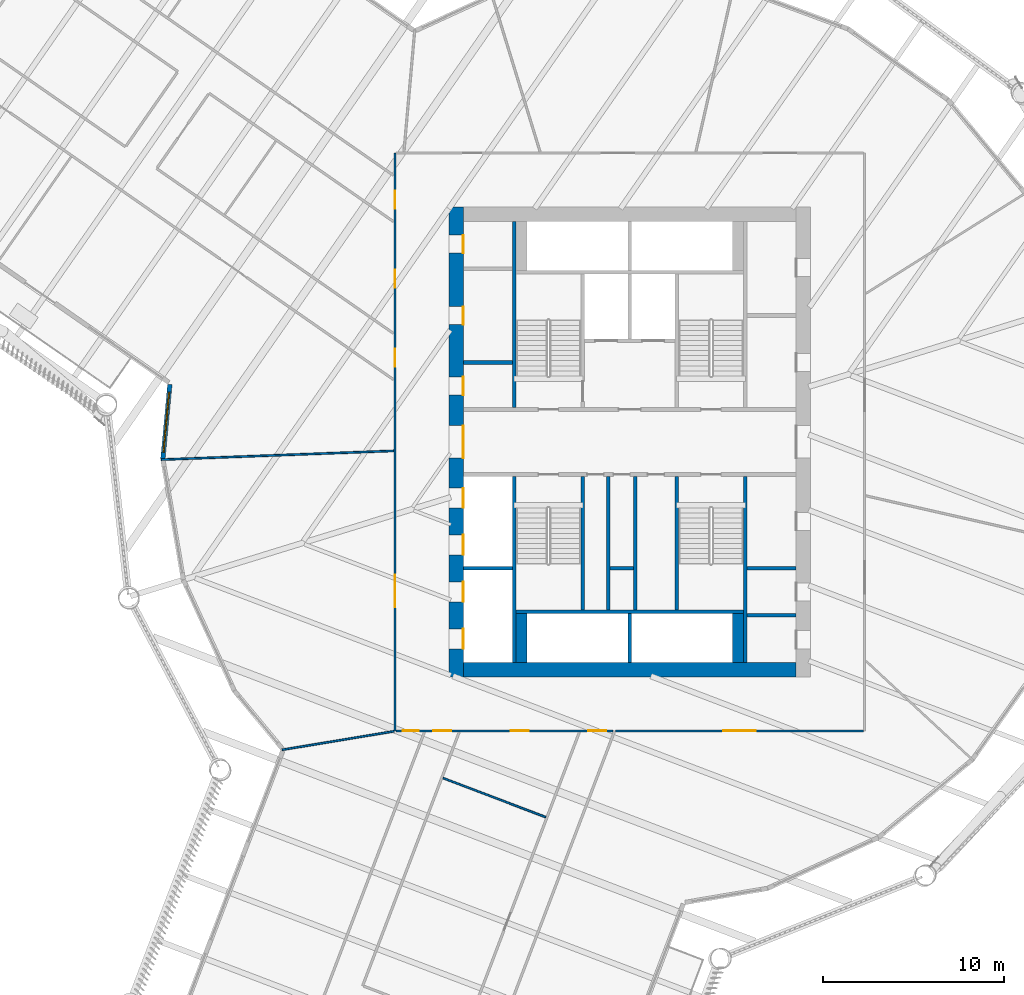
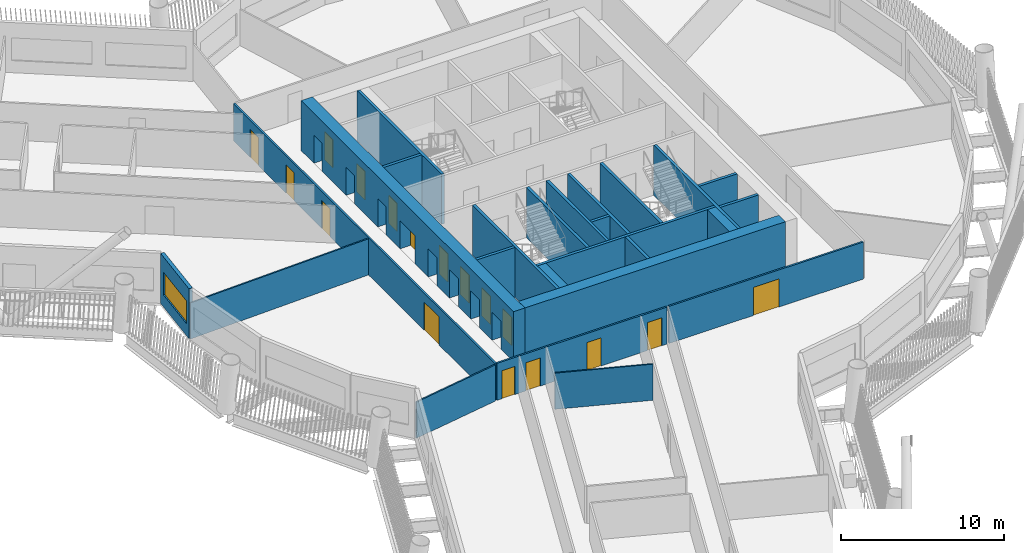
# One storey, part 4 of 23: 25 walls, 17 doors, 1 window, 18 openings.
"""IFC4 building model written with IfcOpenShell, lengths in metres."""

from ifc_helpers import new_model, si_unit, direction, frame, frame_2d, origin, place, context, subcontext, project, spatial, rectangle, extrude, material, layer, layer_set, type_object, element, fill, save


model = new_model("IFC4")

# Units and contexts
model_context = context("Model", 3, precision=1e-05, world=origin(), true_north=direction((0.0, 1.0)))
body_context = subcontext(model_context, "Body", "Model", "MODEL_VIEW")
ifc_project = project(units=[si_unit("LENGTHUNIT", "METRE"), si_unit("AREAUNIT", "SQUARE_METRE"), si_unit("VOLUMEUNIT", "CUBIC_METRE"), si_unit("PLANEANGLEUNIT", "RADIAN"), si_unit("MASSUNIT", "GRAM", prefix="KILO")], contexts=[model_context])

# Site, building, storey
site_placement = place(None, origin())
site = spatial("IfcSite", under=ifc_project, at=site_placement, CompositionType="ELEMENT")
building_placement = place(site_placement, origin())
building = spatial("IfcBuilding", under=site, at=building_placement, Name="Tarsis Ring Headquarters", CompositionType="ELEMENT")
storey_placement = place(building_placement, frame((0.0, 0.0, 131.800048828125)))
storey = spatial("IfcBuildingStorey", under=building, at=storey_placement, Name="L30", CompositionType="ELEMENT", Elevation=131.800048828125)

# Walls
ifc_material_1 = material(Name="Blockwork", Category="masonry")
ifc_layer_1 = layer(ifc_material_1, 0.199951171875)
ifc_layer_set_1 = layer_set([ifc_layer_1], Name="Core blockwork wall 200")
wall_type_1 = type_object("IfcWallType", Name="Core blockwork wall 200", PredefinedType="PARTITIONING", material=ifc_layer_set_1)
for number, where, z_axis, x_axis, name in (
    (1, (-9.199951171875, 4.39990234375, 0.0), (0.0, 0.0, 1.0), (1.0, 0.0, 0.0), "Core partition WD5"),
    (2, (6.5, -9.60009765625, 0.0), (0.0, 0.0, 1.0), (1.0, 0.0, 0.0), "Core partition ED1"),
    (3, (6.5, -7.0, 0.0), (0.0, 0.0, 1.0), (1.0, 0.0, 0.0), "Core partition ED2"),
):
    element("IfcWall", number, at=place(storey_placement, frame(where, z_axis=z_axis, x_axis=x_axis)), inside=storey, type_object=wall_type_1, Name=name, PredefinedType="PARTITIONING", context=body_context, shape_type="SweptSolid", body=[
        extrude(rectangle(XDim=2.699951171875, YDim=0.199951171875, at=frame_2d((1.35009765625, 0.0))), origin(), (0.0, 0.0, 1.0), 3.739990234375),
    ])
wall_1_placement = place(storey_placement, frame((-1.10009765625, -7.0, 0.0), z_axis=(0.0, 0.0, 1.0), x_axis=(1.0, 0.0, 0.0)))
element("IfcWall", 4, at=wall_1_placement, inside=storey, type_object=wall_type_1, Name="Core partition SP2", PredefinedType="PARTITIONING", context=body_context, shape_type="SweptSolid", body=[
    extrude(rectangle(XDim=1.300048828125, YDim=0.199951171875, at=frame_2d((0.64990234375, 0.0))), origin(), (0.0, 0.0, 1.0), 3.739990234375),
])
for number, where, z_axis, x_axis, name in (
    (5, (-1.199951171875, -9.300048828125, 0.0), (0.0, 0.0, 1.0), (0.0, 1.0, 0.0), "Core partition SV1"),
    (6, (0.300048828125, -9.300048828125, 0.0), (0.0, 0.0, 1.0), (0.0, 1.0, 0.0), "Core partition SV2"),
):
    element("IfcWall", number, at=place(storey_placement, frame(where, z_axis=z_axis, x_axis=x_axis)), inside=storey, type_object=wall_type_1, Name=name, PredefinedType="PARTITIONING", context=body_context, shape_type="SweptSolid", body=[
        extrude(rectangle(XDim=7.400146484375, YDim=0.199951171875, at=frame_2d((3.7001953125, 0.0))), origin(), (0.0, 0.0, 1.0), 3.739990234375),
    ])

# Wall, openings, doors
ifc_material_2 = material(Name="Concrete C60/75", Category="concrete")
ifc_layer_2 = layer(ifc_material_2, 0.800048828125)
ifc_layer_set_2 = layer_set([ifc_layer_2], Name="Core wall 800 C60/75")
wall_type_2 = type_object("IfcWallType", Name="Core wall 800 C60/75", PredefinedType="SHEAR", material=ifc_layer_set_2)
wall_2_placement = place(storey_placement, frame((-9.60009765625, -13.0, 0.0), z_axis=(0.0, 0.0, 1.0), x_axis=(0.0, 1.0, 0.0)))
wall_2 = element("IfcWall", 7, at=wall_2_placement, inside=storey, type_object=wall_type_2, Name="Core wall OW", PredefinedType="SHEAR", context=body_context, shape_type="SweptSolid", body=[
    extrude(rectangle(XDim=26.0, YDim=0.800048828125, at=frame_2d((13.0, 0.0))), origin(), (0.0, 0.0, 1.0), 3.739990234375),
])
opening_1_placement = place(wall_2_placement, frame((1.550048828125, 0.0, 0.0)))
opening_1 = element("IfcOpeningElement", 8, at=opening_1_placement, cuts=wall_2, Name="Opening LD-LR1", PredefinedType="OPENING", context=body_context, shape_type="SweptSolid", body=[
    extrude(rectangle(XDim=1.10009765625, YDim=2.10009765625, at=frame_2d((0.550048828125, 1.050048828125))), frame((0.0, 0.409912109375, 0.0), z_axis=(0.0, -1.0, 0.0), x_axis=(1.0, 0.0, 0.0)), (0.0, 0.0, 1.0), 0.820068359375),
])
opening_2_placement = place(wall_2_placement, frame((4.14990234375, 0.0, 0.0)))
opening_2 = element("IfcOpeningElement", 9, at=opening_2_placement, cuts=wall_2, Name="Opening LD-LR2", PredefinedType="OPENING", context=body_context, shape_type="SweptSolid", body=[
    extrude(rectangle(XDim=1.10009765625, YDim=2.10009765625, at=frame_2d((0.550048828125, 1.050048828125))), frame((0.0, 0.409912109375, 0.0), z_axis=(0.0, -1.0, 0.0), x_axis=(1.0, 0.0, 0.0)), (0.0, 0.0, 1.0), 0.820068359375),
])
opening_3_placement = place(wall_2_placement, frame((6.75, 0.0, 0.0)))
opening_3 = element("IfcOpeningElement", 10, at=opening_3_placement, cuts=wall_2, Name="Opening LD-LR3", PredefinedType="OPENING", context=body_context, shape_type="SweptSolid", body=[
    extrude(rectangle(XDim=1.10009765625, YDim=2.10009765625, at=frame_2d((0.550048828125, 1.050048828125))), frame((0.0, 0.409912109375, 0.0), z_axis=(0.0, -1.0, 0.0), x_axis=(1.0, 0.0, 0.0)), (0.0, 0.0, 1.0), 0.820068359375),
])
opening_4_placement = place(wall_2_placement, frame((9.35009765625, 0.0, 0.0)))
opening_4 = element("IfcOpeningElement", 11, at=opening_4_placement, cuts=wall_2, Name="Opening LD-LR4", PredefinedType="OPENING", context=body_context, shape_type="SweptSolid", body=[
    extrude(rectangle(XDim=1.10009765625, YDim=2.10009765625, at=frame_2d((0.550048828125, 1.050048828125))), frame((0.0, 0.409912109375, 0.0), z_axis=(0.0, -1.0, 0.0), x_axis=(1.0, 0.0, 0.0)), (0.0, 0.0, 1.0), 0.820068359375),
])
opening_5_placement = place(wall_2_placement, frame((12.10009765625, 0.0, 0.0)))
opening_5 = element("IfcOpeningElement", 12, at=opening_5_placement, cuts=wall_2, Name="Opening L30-C05", PredefinedType="OPENING", context=body_context, shape_type="SweptSolid", body=[
    extrude(rectangle(XDim=1.800048828125, YDim=2.10009765625, at=frame_2d((0.89990234375, 1.050048828125))), frame((0.0, 0.409912109375, 0.0), z_axis=(0.0, -1.0, 0.0), x_axis=(1.0, 0.0, 0.0)), (0.0, 0.0, 1.0), 0.820068359375),
])
opening_6_placement = place(wall_2_placement, frame((15.60009765625, 0.0, 0.0)))
opening_6 = element("IfcOpeningElement", 13, at=opening_6_placement, cuts=wall_2, Name="Opening L30-C06", PredefinedType="OPENING", context=body_context, shape_type="SweptSolid", body=[
    extrude(rectangle(XDim=1.0, YDim=2.10009765625, at=frame_2d((0.5, 1.050048828125))), frame((0.0, 0.409912109375, 0.0), z_axis=(0.0, -1.0, 0.0), x_axis=(1.0, 0.0, 0.0)), (0.0, 0.0, 1.0), 0.820068359375),
])
opening_7_placement = place(wall_2_placement, frame((19.5, 0.0, 0.0)))
opening_7 = element("IfcOpeningElement", 14, at=opening_7_placement, cuts=wall_2, Name="Opening L30-C07", PredefinedType="OPENING", context=body_context, shape_type="SweptSolid", body=[
    extrude(rectangle(XDim=1.0, YDim=2.10009765625, at=frame_2d((0.5, 1.050048828125))), frame((0.0, 0.409912109375, 0.0), z_axis=(0.0, -1.0, 0.0), x_axis=(1.0, 0.0, 0.0)), (0.0, 0.0, 1.0), 0.820068359375),
])
opening_8_placement = place(wall_2_placement, frame((23.449951171875, 0.0, 0.0)))
opening_8 = element("IfcOpeningElement", 15, at=opening_8_placement, cuts=wall_2, Name="Opening L30-C08", PredefinedType="OPENING", context=body_context, shape_type="SweptSolid", body=[
    extrude(rectangle(XDim=1.0, YDim=2.10009765625, at=frame_2d((0.5, 1.050048828125))), frame((0.0, 0.409912109375, 0.0), z_axis=(0.0, -1.0, 0.0), x_axis=(1.0, 0.0, 0.0)), (0.0, 0.0, 1.0), 0.820068359375),
])
ifc_material_3 = material(Name="Steel S355", Category="steel")
door_type_1 = type_object("IfcDoorType", Name="Core entry door 1800x2100", OperationType="DOUBLE_DOOR_SINGLE_SWING", PredefinedType="DOOR", material=ifc_material_3)
door_1_placement = place(opening_5_placement, origin())
door_1 = element("IfcDoor", 16, at=door_1_placement, inside=storey, type_object=door_type_1, Name="Core entry door L30", OperationType="DOUBLE_DOOR_SINGLE_SWING", OverallHeight=2.10009765625, OverallWidth=1.800048828125, PredefinedType="DOOR", context=body_context, shape_type="SweptSolid", body=[
    extrude(rectangle(XDim=1.800048828125, YDim=2.10009765625, at=frame_2d((0.89990234375, 1.050048828125))), frame((0.0, -0.35009765625, 0.0), z_axis=(0.0, -1.0, 0.0), x_axis=(1.0, 0.0, 0.0)), (0.0, 0.0, 1.0), 0.050048828125),
])
fill(opening_5, door_1)
door_type_2 = type_object("IfcDoorType", Name="Core room door 1000x2100", OperationType="SINGLE_SWING_LEFT", PredefinedType="DOOR", material=ifc_material_3)
door_2_placement = place(opening_6_placement, origin())
door_2 = element("IfcDoor", 17, at=door_2_placement, inside=storey, type_object=door_type_2, Name="Core room door L30", OperationType="SINGLE_SWING_LEFT", OverallHeight=2.10009765625, OverallWidth=1.0, PredefinedType="DOOR", context=body_context, shape_type="SweptSolid", body=[
    extrude(rectangle(XDim=1.0, YDim=2.10009765625, at=frame_2d((0.5, 1.050048828125))), frame((0.0, -0.35009765625, 0.0), z_axis=(0.0, -1.0, 0.0), x_axis=(1.0, 0.0, 0.0)), (0.0, 0.0, 1.0), 0.050048828125),
])
fill(opening_6, door_2)
door_3_placement = place(opening_7_placement, origin())
door_3 = element("IfcDoor", 18, at=door_3_placement, inside=storey, type_object=door_type_2, Name="Core room door L30", OperationType="SINGLE_SWING_LEFT", OverallHeight=2.10009765625, OverallWidth=1.0, PredefinedType="DOOR", context=body_context, shape_type="SweptSolid", body=[
    extrude(rectangle(XDim=1.0, YDim=2.10009765625, at=frame_2d((0.5, 1.050048828125))), frame((0.0, -0.35009765625, 0.0), z_axis=(0.0, -1.0, 0.0), x_axis=(1.0, 0.0, 0.0)), (0.0, 0.0, 1.0), 0.050048828125),
])
fill(opening_7, door_3)
door_4_placement = place(opening_8_placement, origin())
door_4 = element("IfcDoor", 19, at=door_4_placement, inside=storey, type_object=door_type_2, Name="Core room door L30", OperationType="SINGLE_SWING_LEFT", OverallHeight=2.10009765625, OverallWidth=1.0, PredefinedType="DOOR", context=body_context, shape_type="SweptSolid", body=[
    extrude(rectangle(XDim=1.0, YDim=2.10009765625, at=frame_2d((0.5, 1.050048828125))), frame((0.0, -0.35009765625, 0.0), z_axis=(0.0, -1.0, 0.0), x_axis=(1.0, 0.0, 0.0)), (0.0, 0.0, 1.0), 0.050048828125),
])
fill(opening_8, door_4)
door_type_3 = type_object("IfcDoorType", Name="Landing door 1100x2100", OperationType="SLIDING_TO_LEFT", PredefinedType="DOOR", material=ifc_material_3)
door_5_placement = place(opening_1_placement, origin())
door_5 = element("IfcDoor", 20, at=door_5_placement, inside=storey, type_object=door_type_3, Name="Landing door LR1 L30", OperationType="SLIDING_TO_LEFT", OverallHeight=2.10009765625, OverallWidth=1.10009765625, PredefinedType="DOOR", context=body_context, shape_type="SweptSolid", body=[
    extrude(rectangle(XDim=1.10009765625, YDim=2.10009765625, at=frame_2d((0.550048828125, 1.050048828125))), frame((0.0, -0.35009765625, 0.0), z_axis=(0.0, -1.0, 0.0), x_axis=(1.0, 0.0, 0.0)), (0.0, 0.0, 1.0), 0.050048828125),
])
fill(opening_1, door_5)
door_6_placement = place(opening_2_placement, origin())
door_6 = element("IfcDoor", 21, at=door_6_placement, inside=storey, type_object=door_type_3, Name="Landing door LR2 L30", OperationType="SLIDING_TO_LEFT", OverallHeight=2.10009765625, OverallWidth=1.10009765625, PredefinedType="DOOR", context=body_context, shape_type="SweptSolid", body=[
    extrude(rectangle(XDim=1.10009765625, YDim=2.10009765625, at=frame_2d((0.550048828125, 1.050048828125))), frame((0.0, -0.35009765625, 0.0), z_axis=(0.0, -1.0, 0.0), x_axis=(1.0, 0.0, 0.0)), (0.0, 0.0, 1.0), 0.050048828125),
])
fill(opening_2, door_6)
door_7_placement = place(opening_3_placement, origin())
door_7 = element("IfcDoor", 22, at=door_7_placement, inside=storey, type_object=door_type_3, Name="Landing door LR3 L30", OperationType="SLIDING_TO_LEFT", OverallHeight=2.10009765625, OverallWidth=1.10009765625, PredefinedType="DOOR", context=body_context, shape_type="SweptSolid", body=[
    extrude(rectangle(XDim=1.10009765625, YDim=2.10009765625, at=frame_2d((0.550048828125, 1.050048828125))), frame((0.0, -0.35009765625, 0.0), z_axis=(0.0, -1.0, 0.0), x_axis=(1.0, 0.0, 0.0)), (0.0, 0.0, 1.0), 0.050048828125),
])
fill(opening_3, door_7)
door_8_placement = place(opening_4_placement, origin())
door_8 = element("IfcDoor", 23, at=door_8_placement, inside=storey, type_object=door_type_3, Name="Landing door LR4 L30", OperationType="SLIDING_TO_LEFT", OverallHeight=2.10009765625, OverallWidth=1.10009765625, PredefinedType="DOOR", context=body_context, shape_type="SweptSolid", body=[
    extrude(rectangle(XDim=1.10009765625, YDim=2.10009765625, at=frame_2d((0.550048828125, 1.050048828125))), frame((0.0, -0.35009765625, 0.0), z_axis=(0.0, -1.0, 0.0), x_axis=(1.0, 0.0, 0.0)), (0.0, 0.0, 1.0), 0.050048828125),
])
fill(opening_4, door_8)

# Walls
wall_3_placement = place(storey_placement, frame((-9.199951171875, -12.60009765625, 0.0), z_axis=(0.0, 0.0, 1.0), x_axis=(1.0, 0.0, 0.0)))
element("IfcWall", 24, at=wall_3_placement, inside=storey, type_object=wall_type_2, Name="Core wall OS", PredefinedType="SHEAR", context=body_context, shape_type="SweptSolid", body=[
    extrude(rectangle(XDim=18.39990234375, YDim=0.800048828125, at=frame_2d((9.199951171875, 0.0))), origin(), (0.0, 0.0, 1.0), 3.739990234375),
])
ifc_material_4 = material(Name="Gypsum board on steel studs", Category="steel")
ifc_layer_3 = layer(ifc_material_4, 0.10009765625)
ifc_layer_set_3 = layer_set([ifc_layer_3], Name="FL partition 100 unrated")
wall_type_3 = type_object("IfcWallType", Name="FL partition 100 unrated", PredefinedType="PARTITIONING", material=ifc_layer_set_3)
wall_4_placement = place(storey_placement, frame((-25.929443359375, -0.97802734375, 0.0), z_axis=(0.0, 0.0, 1.0), x_axis=(0.999289207416, 0.037697213987, 0.0)))
element("IfcWall", 25, at=wall_4_placement, inside=storey, type_object=wall_type_3, Name="Partition PW3", PredefinedType="PARTITIONING", context=body_context, shape_type="SweptSolid", body=[
    extrude(rectangle(XDim=12.868408203125, YDim=0.10009765625, at=frame_2d((6.43408203125, 0.0))), origin(), (0.0, 0.0, 1.0), 2.699951171875),
])
wall_5_placement = place(storey_placement, frame((-19.248779296875, -17.04638671875, 0.0), z_axis=(0.0, 0.0, 1.0), x_axis=(0.986548013177, 0.163471764218, 0.0)))
element("IfcWall", 26, at=wall_5_placement, inside=storey, type_object=wall_type_3, Name="Partition PW3", PredefinedType="PARTITIONING", context=body_context, shape_type="SweptSolid", body=[
    extrude(rectangle(XDim=6.277099609375, YDim=0.10009765625, at=frame_2d((3.138671875, 0.0))), origin(), (0.0, 0.0, 1.0), 2.699951171875),
])
wall_6_placement = place(storey_placement, frame((-10.3369140625, -18.610107421875, 0.0), z_axis=(0.0, 0.0, 1.0), x_axis=(0.934571676996, -0.355774901529, 0.0)))
element("IfcWall", 27, at=wall_6_placement, inside=storey, type_object=wall_type_3, Name="Partition PW3", PredefinedType="PARTITIONING", context=body_context, shape_type="SweptSolid", body=[
    extrude(rectangle(XDim=6.079833984375, YDim=0.10009765625, at=frame_2d((3.0400390625, 0.0))), origin(), (0.0, 0.0, 1.0), 2.699951171875),
])

# Wall, openings, doors
ifc_layer_4 = layer(ifc_material_4, 0.125)
ifc_layer_set_4 = layer_set([ifc_layer_4], Name="FL partition 125 EI 60 H2770")
wall_type_4 = type_object("IfcWallType", Name="FL partition 125 EI 60 H2770", PredefinedType="PARTITIONING", material=ifc_layer_set_4)
wall_7_placement = place(storey_placement, frame((-13.0, -16.0, 0.0), z_axis=(0.0, 0.0, 1.0), x_axis=(0.0, 1.0, 0.0)))
wall_7 = element("IfcWall", 28, at=wall_7_placement, inside=storey, type_object=wall_type_4, Name="Partition PW1", PredefinedType="PARTITIONING", context=body_context, shape_type="SweptSolid", body=[
    extrude(rectangle(XDim=32.0, YDim=0.125, at=frame_2d((16.0, 0.0))), origin(), (0.0, 0.0, 1.0), 2.77001953125),
])
opening_9_placement = place(wall_7_placement, frame((6.854736328125, 0.0, 0.0)))
opening_9 = element("IfcOpeningElement", 29, at=opening_9_placement, cuts=wall_7, Name="Opening D30.13", PredefinedType="OPENING", context=body_context, shape_type="SweptSolid", body=[
    extrude(rectangle(XDim=1.800048828125, YDim=2.10009765625, at=frame_2d((0.89990234375, 1.050048828125))), frame((0.0, 0.072509765625, 0.0), z_axis=(0.0, -1.0, 0.0), x_axis=(1.0, 0.0, 0.0)), (0.0, 0.0, 1.0), 0.14501953125),
])
opening_10_placement = place(wall_7_placement, frame((24.548583984375, 0.0, 0.0)))
opening_10 = element("IfcOpeningElement", 30, at=opening_10_placement, cuts=wall_7, Name="Opening D30.15", PredefinedType="OPENING", context=body_context, shape_type="SweptSolid", body=[
    extrude(rectangle(XDim=1.0, YDim=2.10009765625, at=frame_2d((0.5, 1.050048828125))), frame((0.0, 0.072509765625, 0.0), z_axis=(0.0, -1.0, 0.0), x_axis=(1.0, 0.0, 0.0)), (0.0, 0.0, 1.0), 0.14501953125),
])
opening_11_placement = place(wall_7_placement, frame((20.1748046875, 0.0, 0.0)))
opening_11 = element("IfcOpeningElement", 31, at=opening_11_placement, cuts=wall_7, Name="Opening D30.21", PredefinedType="OPENING", context=body_context, shape_type="SweptSolid", body=[
    extrude(rectangle(XDim=1.0, YDim=2.10009765625, at=frame_2d((0.5, 1.050048828125))), frame((0.0, 0.072509765625, 0.0), z_axis=(0.0, -1.0, 0.0), x_axis=(1.0, 0.0, 0.0)), (0.0, 0.0, 1.0), 0.14501953125),
])
opening_12_placement = place(wall_7_placement, frame((28.922607421875, 0.0, 0.0)))
opening_12 = element("IfcOpeningElement", 32, at=opening_12_placement, cuts=wall_7, Name="Opening D30.22", PredefinedType="OPENING", context=body_context, shape_type="SweptSolid", body=[
    extrude(rectangle(XDim=1.0, YDim=2.10009765625, at=frame_2d((0.5, 1.050048828125))), frame((0.0, 0.072509765625, 0.0), z_axis=(0.0, -1.0, 0.0), x_axis=(1.0, 0.0, 0.0)), (0.0, 0.0, 1.0), 0.14501953125),
])
ifc_material_5 = material(Name="Fire-rated timber door leaf in steel frame", Category="steel")
door_type_4 = type_object("IfcDoorType", Name="FL door FD60-1000", OperationType="NOTDEFINED", PredefinedType="DOOR", material=ifc_material_5)
door_9_placement = place(opening_10_placement, origin())
door_9 = element("IfcDoor", 33, at=door_9_placement, inside=storey, type_object=door_type_4, Name="Door D30.15", OperationType="SINGLE_SWING_LEFT", OverallHeight=2.10009765625, OverallWidth=1.0, PredefinedType="DOOR", context=body_context, shape_type="SweptSolid", body=[
    extrude(rectangle(XDim=1.0, YDim=2.10009765625, at=frame_2d((0.5, 1.050048828125))), frame((0.0, 0.02490234375, 0.0), z_axis=(0.0, -1.0, 0.0), x_axis=(1.0, 0.0, 0.0)), (0.0, 0.0, 1.0), 0.050048828125),
])
fill(opening_10, door_9)
door_10_placement = place(opening_11_placement, origin())
door_10 = element("IfcDoor", 34, at=door_10_placement, inside=storey, type_object=door_type_4, Name="Door D30.21", OperationType="SINGLE_SWING_LEFT", OverallHeight=2.10009765625, OverallWidth=1.0, PredefinedType="DOOR", context=body_context, shape_type="SweptSolid", body=[
    extrude(rectangle(XDim=1.0, YDim=2.10009765625, at=frame_2d((0.5, 1.050048828125))), frame((0.0, 0.02490234375, 0.0), z_axis=(0.0, -1.0, 0.0), x_axis=(1.0, 0.0, 0.0)), (0.0, 0.0, 1.0), 0.050048828125),
])
fill(opening_11, door_10)
door_11_placement = place(opening_12_placement, origin())
door_11 = element("IfcDoor", 35, at=door_11_placement, inside=storey, type_object=door_type_4, Name="Door D30.22", OperationType="SINGLE_SWING_RIGHT", OverallHeight=2.10009765625, OverallWidth=1.0, PredefinedType="DOOR", context=body_context, shape_type="SweptSolid", body=[
    extrude(rectangle(XDim=1.0, YDim=2.10009765625, at=frame_2d((0.5, 1.050048828125))), frame((0.0, 0.02490234375, 0.0), z_axis=(0.0, -1.0, 0.0), x_axis=(1.0, 0.0, 0.0)), (0.0, 0.0, 1.0), 0.050048828125),
])
fill(opening_12, door_11)
door_type_5 = type_object("IfcDoorType", Name="FL door FD60-1800", OperationType="DOUBLE_DOOR_SINGLE_SWING", PredefinedType="DOOR", material=ifc_material_5)
door_12_placement = place(opening_9_placement, origin())
door_12 = element("IfcDoor", 36, at=door_12_placement, inside=storey, type_object=door_type_5, Name="Door D30.13", OperationType="DOUBLE_DOOR_SINGLE_SWING", OverallHeight=2.10009765625, OverallWidth=1.800048828125, PredefinedType="DOOR", context=body_context, shape_type="SweptSolid", body=[
    extrude(rectangle(XDim=1.800048828125, YDim=2.10009765625, at=frame_2d((0.89990234375, 1.050048828125))), frame((0.0, 0.02490234375, 0.0), z_axis=(0.0, -1.0, 0.0), x_axis=(1.0, 0.0, 0.0)), (0.0, 0.0, 1.0), 0.050048828125),
])
fill(opening_9, door_12)

wall_8_placement = place(storey_placement, frame((-12.93994140625, -16.0, 0.0), z_axis=(0.0, 0.0, 1.0), x_axis=(1.0, 0.0, 0.0)))
wall_8 = element("IfcWall", 37, at=wall_8_placement, inside=storey, type_object=wall_type_4, Name="Partition PW1", PredefinedType="PARTITIONING", context=body_context, shape_type="SweptSolid", body=[
    extrude(rectangle(XDim=12.012451171875, YDim=0.125, at=frame_2d((6.00634765625, 0.0))), origin(), (0.0, 0.0, 1.0), 2.77001953125),
])
opening_13_placement = place(wall_8_placement, frame((0.364013671875, 0.0, 0.0)))
opening_13 = element("IfcOpeningElement", 38, at=opening_13_placement, cuts=wall_8, Name="Opening D30.12", PredefinedType="OPENING", context=body_context, shape_type="SweptSolid", body=[
    extrude(rectangle(XDim=0.89990234375, YDim=2.10009765625, at=frame_2d((0.449951171875, 1.050048828125))), frame((0.0, 0.072509765625, 0.0), z_axis=(0.0, -1.0, 0.0), x_axis=(1.0, 0.0, 0.0)), (0.0, 0.0, 1.0), 0.14501953125),
])
opening_14_placement = place(wall_8_placement, frame((6.349365234375, 0.0, 0.0)))
opening_14 = element("IfcOpeningElement", 39, at=opening_14_placement, cuts=wall_8, Name="Opening D30.17", PredefinedType="OPENING", context=body_context, shape_type="SweptSolid", body=[
    extrude(rectangle(XDim=1.0, YDim=2.10009765625, at=frame_2d((0.5, 1.050048828125))), frame((0.0, 0.072509765625, 0.0), z_axis=(0.0, -1.0, 0.0), x_axis=(1.0, 0.0, 0.0)), (0.0, 0.0, 1.0), 0.14501953125),
])
opening_15_placement = place(wall_8_placement, frame((2.05859375, 0.0, 0.0)))
opening_15 = element("IfcOpeningElement", 40, at=opening_15_placement, cuts=wall_8, Name="Opening D30.19", PredefinedType="OPENING", context=body_context, shape_type="SweptSolid", body=[
    extrude(rectangle(XDim=1.0, YDim=2.10009765625, at=frame_2d((0.5, 1.050048828125))), frame((0.0, 0.072509765625, 0.0), z_axis=(0.0, -1.0, 0.0), x_axis=(1.0, 0.0, 0.0)), (0.0, 0.0, 1.0), 0.14501953125),
])
opening_16_placement = place(wall_8_placement, frame((10.64013671875, 0.0, 0.0)))
opening_16 = element("IfcOpeningElement", 41, at=opening_16_placement, cuts=wall_8, Name="Opening D30.20", PredefinedType="OPENING", context=body_context, shape_type="SweptSolid", body=[
    extrude(rectangle(XDim=1.0, YDim=2.10009765625, at=frame_2d((0.5, 1.050048828125))), frame((0.0, 0.072509765625, 0.0), z_axis=(0.0, -1.0, 0.0), x_axis=(1.0, 0.0, 0.0)), (0.0, 0.0, 1.0), 0.14501953125),
])
door_13_placement = place(opening_14_placement, origin())
door_13 = element("IfcDoor", 42, at=door_13_placement, inside=storey, type_object=door_type_4, Name="Door D30.17", OperationType="SINGLE_SWING_LEFT", OverallHeight=2.10009765625, OverallWidth=1.0, PredefinedType="DOOR", context=body_context, shape_type="SweptSolid", body=[
    extrude(rectangle(XDim=1.0, YDim=2.10009765625, at=frame_2d((0.5, 1.050048828125))), frame((0.0, 0.02490234375, 0.0), z_axis=(0.0, -1.0, 0.0), x_axis=(1.0, 0.0, 0.0)), (0.0, 0.0, 1.0), 0.050048828125),
])
fill(opening_14, door_13)
door_14_placement = place(opening_15_placement, origin())
door_14 = element("IfcDoor", 43, at=door_14_placement, inside=storey, type_object=door_type_4, Name="Door D30.19", OperationType="SINGLE_SWING_LEFT", OverallHeight=2.10009765625, OverallWidth=1.0, PredefinedType="DOOR", context=body_context, shape_type="SweptSolid", body=[
    extrude(rectangle(XDim=1.0, YDim=2.10009765625, at=frame_2d((0.5, 1.050048828125))), frame((0.0, 0.02490234375, 0.0), z_axis=(0.0, -1.0, 0.0), x_axis=(1.0, 0.0, 0.0)), (0.0, 0.0, 1.0), 0.050048828125),
])
fill(opening_15, door_14)
door_15_placement = place(opening_16_placement, origin())
door_15 = element("IfcDoor", 44, at=door_15_placement, inside=storey, type_object=door_type_4, Name="Door D30.20", OperationType="SINGLE_SWING_RIGHT", OverallHeight=2.10009765625, OverallWidth=1.0, PredefinedType="DOOR", context=body_context, shape_type="SweptSolid", body=[
    extrude(rectangle(XDim=1.0, YDim=2.10009765625, at=frame_2d((0.5, 1.050048828125))), frame((0.0, 0.02490234375, 0.0), z_axis=(0.0, -1.0, 0.0), x_axis=(1.0, 0.0, 0.0)), (0.0, 0.0, 1.0), 0.050048828125),
])
fill(opening_16, door_15)
door_type_6 = type_object("IfcDoorType", Name="FL door FD60-900", OperationType="NOTDEFINED", PredefinedType="DOOR", material=ifc_material_5)
door_16_placement = place(opening_13_placement, origin())
door_16 = element("IfcDoor", 45, at=door_16_placement, inside=storey, type_object=door_type_6, Name="Door D30.12", OperationType="SINGLE_SWING_RIGHT", OverallHeight=2.10009765625, OverallWidth=0.89990234375, PredefinedType="DOOR", context=body_context, shape_type="SweptSolid", body=[
    extrude(rectangle(XDim=0.89990234375, YDim=2.10009765625, at=frame_2d((0.449951171875, 1.050048828125))), frame((0.0, 0.02490234375, 0.0), z_axis=(0.0, -1.0, 0.0), x_axis=(1.0, 0.0, 0.0)), (0.0, 0.0, 1.0), 0.050048828125),
])
fill(opening_13, door_16)

# Wall, opening, door
wall_9_placement = place(storey_placement, frame((-0.778564453125, -16.0, 0.0), z_axis=(0.0, 0.0, 1.0), x_axis=(1.0, 0.0, 0.0)))
wall_9 = element("IfcWall", 46, at=wall_9_placement, inside=storey, type_object=wall_type_4, Name="Partition PW1", PredefinedType="PARTITIONING", context=body_context, shape_type="SweptSolid", body=[
    extrude(rectangle(XDim=13.716552734375, YDim=0.125, at=frame_2d((6.8583984375, 0.0))), origin(), (0.0, 0.0, 1.0), 2.77001953125),
])
opening_17_placement = place(wall_9_placement, frame((5.958984375, 0.0, 0.0)))
opening_17 = element("IfcOpeningElement", 47, at=opening_17_placement, cuts=wall_9, Name="Opening D30.09", PredefinedType="OPENING", context=body_context, shape_type="SweptSolid", body=[
    extrude(rectangle(XDim=1.800048828125, YDim=2.10009765625, at=frame_2d((0.89990234375, 1.050048828125))), frame((0.0, 0.072509765625, 0.0), z_axis=(0.0, -1.0, 0.0), x_axis=(1.0, 0.0, 0.0)), (0.0, 0.0, 1.0), 0.14501953125),
])
door_17_placement = place(opening_17_placement, origin())
door_17 = element("IfcDoor", 48, at=door_17_placement, inside=storey, type_object=door_type_5, Name="Door D30.09", OperationType="DOUBLE_DOOR_SINGLE_SWING", OverallHeight=2.10009765625, OverallWidth=1.800048828125, PredefinedType="DOOR", context=body_context, shape_type="SweptSolid", body=[
    extrude(rectangle(XDim=1.800048828125, YDim=2.10009765625, at=frame_2d((0.89990234375, 1.050048828125))), frame((0.0, 0.02490234375, 0.0), z_axis=(0.0, -1.0, 0.0), x_axis=(1.0, 0.0, 0.0)), (0.0, 0.0, 1.0), 0.050048828125),
])
fill(opening_17, door_17)

# Wall, opening, window
ifc_material_6 = material(Name="Terracotta clad insulated panel wall", Category="masonry")
ifc_layer_5 = layer(ifc_material_6, 0.25)
ifc_layer_set_5 = layer_set([ifc_layer_5], Name="Facade wall terracotta panel 250")
wall_type_5 = type_object("IfcWallType", Name="Facade wall terracotta panel 250", PredefinedType="STANDARD", material=ifc_layer_set_5)
wall_10_placement = place(storey_placement, frame((-25.467041015625, 3.1806640625, 0.0), z_axis=(0.0, 0.0, 1.0), x_axis=(-0.093076932348, -0.995658919844, 0.0)))
wall_10 = element("IfcWall", 49, at=wall_10_placement, inside=storey, type_object=wall_type_5, Name="External wall L30-02", PredefinedType="STANDARD", context=body_context, shape_type="SweptSolid", body=[
    extrude(rectangle(XDim=4.157470703125, YDim=0.25, at=frame_2d((2.07861328125, 0.0))), origin(), (0.0, 0.0, 1.0), 3.739990234375),
])
opening_18_placement = place(wall_10_placement, frame((0.420166015625, 0.0, 0.89990234375)))
opening_18 = element("IfcOpeningElement", 50, at=opening_18_placement, cuts=wall_10, Name="Opening WN01", PredefinedType="OPENING", context=body_context, shape_type="SweptSolid", body=[
    extrude(rectangle(XDim=3.35009765625, YDim=1.699951171875, at=frame_2d((1.675048828125, 0.85009765625))), frame((0.0, 0.135009765625, 0.0), z_axis=(0.0, -1.0, 0.0), x_axis=(1.0, 0.0, 0.0)), (0.0, 0.0, 1.0), 0.27001953125),
])
ifc_material_7 = material(Name="Aluminium framed double glazing", Category="aluminium")
window_type = type_object("IfcWindowType", Name="Facade window 3350 x 1700", PartitioningType="SINGLE_PANEL", PredefinedType="WINDOW", material=ifc_material_7)
window_placement = place(opening_18_placement, origin())
window = element("IfcWindow", 51, at=window_placement, inside=storey, type_object=window_type, Name="Window L30-02.1", OverallHeight=1.699951171875, OverallWidth=3.35009765625, PartitioningType="SINGLE_PANEL", PredefinedType="WINDOW", context=body_context, shape_type="SweptSolid", body=[
    extrude(rectangle(XDim=3.35009765625, YDim=1.699951171875, at=frame_2d((1.675048828125, 0.85009765625))), frame((0.0, 0.030029296875, 0.0), z_axis=(0.0, -1.0, 0.0), x_axis=(1.0, 0.0, 0.0)), (0.0, 0.0, 1.0), 0.06005859375),
])
fill(opening_18, window)

# Walls
ifc_material_8 = material(Name="Concrete C32/40", Category="concrete")
ifc_layer_6 = layer(ifc_material_8, 0.60009765625)
ifc_layer_set_6 = layer_set([ifc_layer_6], Name="Shaft end wall 600 C32/40")
wall_type_6 = type_object("IfcWallType", Name="Shaft end wall 600 C32/40", PredefinedType="SOLIDWALL", material=ifc_layer_set_6)
for number, where, z_axis, x_axis, name in (
    (52, (-6.0, -12.199951171875, 0.0), (0.0, 0.0, 1.0), (0.0, 1.0, 0.0), "Core shaft wall SNE1"),
    (53, (6.0, -12.199951171875, 0.0), (0.0, 0.0, 1.0), (0.0, 1.0, 0.0), "Core shaft wall SNE2"),
):
    element("IfcWall", number, at=place(storey_placement, frame(where, z_axis=z_axis, x_axis=x_axis)), inside=storey, type_object=wall_type_6, Name=name, PredefinedType="SOLIDWALL", context=body_context, shape_type="SweptSolid", body=[
        extrude(rectangle(XDim=2.699951171875, YDim=0.60009765625, at=frame_2d((1.35009765625, 0.0))), origin(), (0.0, 0.0, 1.0), 3.739990234375),
    ])
ifc_layer_7 = layer(ifc_material_8, 0.199951171875)
ifc_layer_set_7 = layer_set([ifc_layer_7], Name="Shaft wall 200 C32/40")
wall_type_7 = type_object("IfcWallType", Name="Shaft wall 200 C32/40", PredefinedType="SOLIDWALL", material=ifc_layer_set_7)
for number, where, z_axis, x_axis, name in (
    (54, (-6.39990234375, -12.199951171875, 0.0), (0.0, 0.0, 1.0), (0.0, 1.0, 0.0), "Core shaft wall WB1"),
    (55, (-6.39990234375, 1.89990234375, 0.0), (0.0, 0.0, 1.0), (0.0, 1.0, 0.0), "Core shaft wall WB2"),
    (56, (6.39990234375, -12.199951171875, 0.0), (0.0, 0.0, 1.0), (0.0, 1.0, 0.0), "Core shaft wall EB1"),
):
    element("IfcWall", number, at=place(storey_placement, frame(where, z_axis=z_axis, x_axis=x_axis)), inside=storey, type_object=wall_type_7, Name=name, PredefinedType="SOLIDWALL", context=body_context, shape_type="SweptSolid", body=[
        extrude(rectangle(XDim=10.300048828125, YDim=0.199951171875, at=frame_2d((5.14990234375, 0.0))), origin(), (0.0, 0.0, 1.0), 3.739990234375),
    ])
wall_11_placement = place(storey_placement, frame((-6.300048828125, -9.39990234375, 0.0), z_axis=(0.0, 0.0, 1.0), x_axis=(1.0, 0.0, 0.0)))
element("IfcWall", 57, at=wall_11_placement, inside=storey, type_object=wall_type_7, Name="Core shaft wall SB", PredefinedType="SOLIDWALL", context=body_context, shape_type="SweptSolid", body=[
    extrude(rectangle(XDim=12.60009765625, YDim=0.199951171875, at=frame_2d((6.300048828125, 0.0))), origin(), (0.0, 0.0, 1.0), 3.739990234375),
])
for number, where, z_axis, x_axis, name in (
    (58, (-2.60009765625, -9.300048828125, 0.0), (0.0, 0.0, 1.0), (0.0, 1.0, 0.0), "Core shaft wall SW3"),
    (59, (2.60009765625, -9.300048828125, 0.0), (0.0, 0.0, 1.0), (0.0, 1.0, 0.0), "Core shaft wall SW4"),
):
    element("IfcWall", number, at=place(storey_placement, frame(where, z_axis=z_axis, x_axis=x_axis)), inside=storey, type_object=wall_type_7, Name=name, PredefinedType="SOLIDWALL", context=body_context, shape_type="SweptSolid", body=[
        extrude(rectangle(XDim=7.400146484375, YDim=0.199951171875, at=frame_2d((3.7001953125, 0.0))), origin(), (0.0, 0.0, 1.0), 3.739990234375),
    ])
for number, where, z_axis, x_axis, name in (
    (60, (-9.199951171875, -7.0, 0.0), (0.0, 0.0, 1.0), (1.0, 0.0, 0.0), "Core shaft wall WD2"),
    (61, (0.0, -12.199951171875, 0.0), (0.0, 0.0, 1.0), (0.0, 1.0, 0.0), "Core shaft wall SD2"),
):
    element("IfcWall", number, at=place(storey_placement, frame(where, z_axis=z_axis, x_axis=x_axis)), inside=storey, type_object=wall_type_7, Name=name, PredefinedType="SOLIDWALL", context=body_context, shape_type="SweptSolid", body=[
        extrude(rectangle(XDim=2.699951171875, YDim=0.199951171875, at=frame_2d((1.35009765625, 0.0))), origin(), (0.0, 0.0, 1.0), 3.739990234375),
    ])

save(model, "model.ifc")
